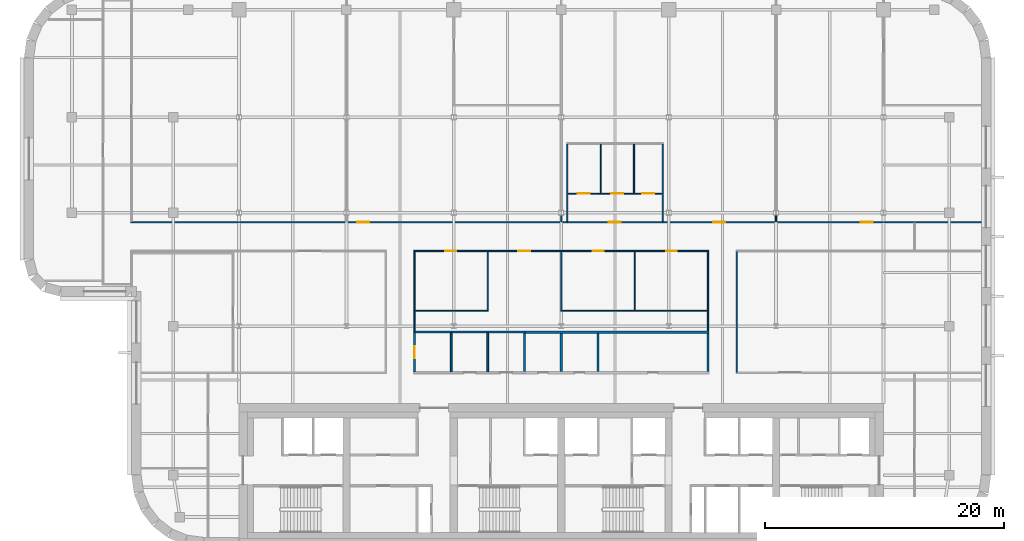
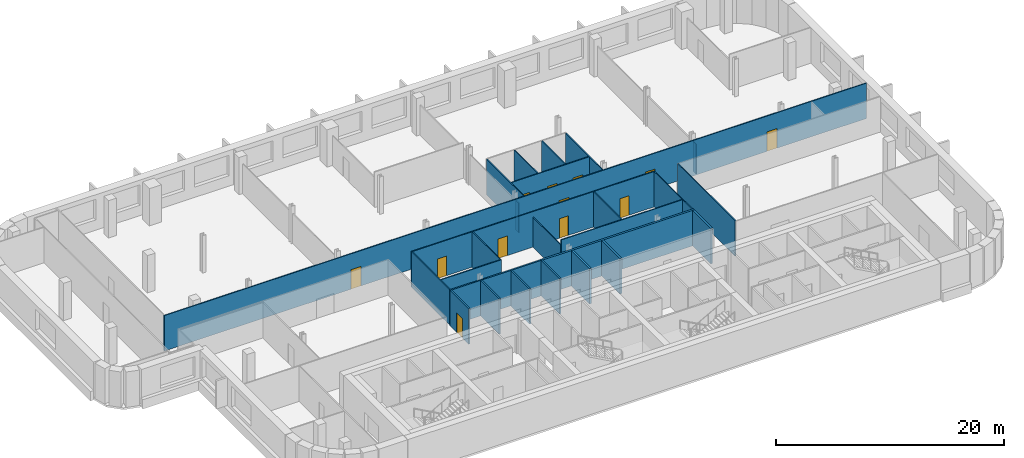
# One storey, part 9 of 16: 26 walls, 12 doors, 12 openings.
"""IFC4 building model written with IfcOpenShell, lengths in metres."""

from ifc_helpers import new_model, si_unit, direction, frame, frame_2d, origin, place, context, subcontext, project, spatial, rectangle, extrude, material, layer, layer_set, type_object, element, fill, save


model = new_model("IFC4")

# Units and contexts
model_context = context("Model", 3, precision=1e-05, world=origin(), true_north=direction((0.0, 1.0)))
body_context = subcontext(model_context, "Body", "Model", "MODEL_VIEW")
ifc_project = project(units=[si_unit("LENGTHUNIT", "METRE"), si_unit("AREAUNIT", "SQUARE_METRE"), si_unit("VOLUMEUNIT", "CUBIC_METRE"), si_unit("PLANEANGLEUNIT", "RADIAN"), si_unit("MASSUNIT", "GRAM", prefix="KILO")], contexts=[model_context])

# Site, building, storey
site_placement = place(None, origin())
site = spatial("IfcSite", under=ifc_project, at=site_placement, CompositionType="ELEMENT")
building_placement = place(site_placement, origin())
building = spatial("IfcBuilding", under=site, at=building_placement, Name="Zellij Exchange Tower", CompositionType="ELEMENT")
storey_placement = place(building_placement, frame((0.0, 0.0, 248.5)))
storey = spatial("IfcBuildingStorey", under=building, at=storey_placement, Name="L58", CompositionType="ELEMENT", Elevation=248.5)

# Walls
ifc_material_1 = material(Name="Blockwork partition", Category="masonry")
ifc_layer_1 = layer(ifc_material_1, 0.199951171875)
ifc_layer_set_1 = layer_set([ifc_layer_1], Name="Blockwork partition")
wall_type_1 = type_object("IfcWallType", Name="FIT-BLOCKWORK-200", PredefinedType="PARTITIONING", material=ifc_layer_set_1)
for number, where, z_axis, x_axis, name in (
    (1, (0.0, 0.699951171875, 0.0), (0.0, 0.0, 1.0), (0.0, 1.0, 0.0), "FIT-BLOCKWORK-200 013"),
    (2, (3.080078125, 0.699951171875, 0.0), (0.0, 0.0, 1.0), (0.0, 1.0, 0.0), "FIT-BLOCKWORK-200 014"),
    (3, (12.300048828125, 0.699951171875, 0.0), (0.0, 0.0, 1.0), (0.0, 1.0, 0.0), "FIT-BLOCKWORK-200 015"),
):
    element("IfcWall", number, at=place(storey_placement, frame(where, z_axis=z_axis, x_axis=x_axis)), inside=storey, type_object=wall_type_1, Name=name, PredefinedType="PARTITIONING", context=body_context, shape_type="SweptSolid", body=[
        extrude(rectangle(XDim=3.199951171875, YDim=0.199951171875, at=frame_2d((1.60009765625, 0.0))), origin(), (0.0, 0.0, 1.0), 3.800048828125),
    ])
wall_1_placement = place(storey_placement, frame((-3.155029296875, 4.0, 0.0), z_axis=(0.0, 0.0, 1.0), x_axis=(1.0, 0.0, 0.0)))
element("IfcWall", 4, at=wall_1_placement, inside=storey, type_object=wall_type_1, Name="FIT-BLOCKWORK-200 020", PredefinedType="PARTITIONING", context=body_context, shape_type="SweptSolid", body=[
    extrude(rectangle(XDim=15.554931640625, YDim=0.199951171875, at=frame_2d((7.77734375, 0.0))), origin(), (0.0, 0.0, 1.0), 3.800048828125),
])
ifc_material_2 = material(Name="Gypsum board partition on steel studs", Category="steel")
ifc_layer_2 = layer(ifc_material_2, 0.10009765625)
ifc_layer_set_2 = layer_set([ifc_layer_2], Name="Gypsum board partition on steel studs")
wall_type_2 = type_object("IfcWallType", Name="FIT-PARTITION-100", PredefinedType="PARTITIONING", material=ifc_layer_set_2)
wall_2_placement = place(storey_placement, frame((14.699951171875, 0.64990234375, 0.0), z_axis=(0.0, 0.0, 1.0), x_axis=(0.0, 1.0, 0.0)))
element("IfcWall", 5, at=wall_2_placement, inside=storey, type_object=wall_type_2, Name="FIT-PARTITION-100 017", PredefinedType="PARTITIONING", context=body_context, shape_type="SweptSolid", body=[
    extrude(rectangle(XDim=10.10009765625, YDim=0.10009765625, at=frame_2d((5.050048828125, 0.0))), origin(), (0.0, 0.0, 1.0), 3.800048828125),
])
wall_3_placement = place(storey_placement, frame((-12.300048828125, 4.074951171875, 0.0), z_axis=(0.0, 0.0, 1.0), x_axis=(0.0, 1.0, 0.0)))
element("IfcWall", 6, at=wall_3_placement, inside=storey, type_object=wall_type_2, Name="FIT-PARTITION-100 019", PredefinedType="PARTITIONING", context=body_context, shape_type="SweptSolid", body=[
    extrude(rectangle(XDim=6.675048828125, YDim=0.10009765625, at=frame_2d((3.33740234375, 0.0))), origin(), (0.0, 0.0, 1.0), 3.800048828125),
])
wall_4_placement = place(storey_placement, frame((12.300048828125, 4.10009765625, 0.0), z_axis=(0.0, 0.0, 1.0), x_axis=(0.0, 1.0, 0.0)))
element("IfcWall", 7, at=wall_4_placement, inside=storey, type_object=wall_type_2, Name="FIT-PARTITION-100 021", PredefinedType="PARTITIONING", context=body_context, shape_type="SweptSolid", body=[
    extrude(rectangle(XDim=6.64990234375, YDim=0.10009765625, at=frame_2d((3.324951171875, 0.0))), origin(), (0.0, 0.0, 1.0), 3.800048828125),
])
wall_5_placement = place(storey_placement, frame((-12.25, 5.800048828125, 0.0), z_axis=(0.0, 0.0, 1.0), x_axis=(1.0, 0.0, 0.0)))
element("IfcWall", 8, at=wall_5_placement, inside=storey, type_object=wall_type_2, Name="FIT-PARTITION-100 022", PredefinedType="PARTITIONING", context=body_context, shape_type="SweptSolid", body=[
    extrude(rectangle(XDim=6.14990234375, YDim=0.10009765625, at=frame_2d((3.074951171875, 0.0))), origin(), (0.0, 0.0, 1.0), 3.800048828125),
])
wall_6_placement = place(storey_placement, frame((-6.14990234375, 5.85009765625, 0.0), z_axis=(0.0, 0.0, 1.0), x_axis=(0.0, 1.0, 0.0)))
element("IfcWall", 9, at=wall_6_placement, inside=storey, type_object=wall_type_2, Name="FIT-PARTITION-100 023", PredefinedType="PARTITIONING", context=body_context, shape_type="SweptSolid", body=[
    extrude(rectangle(XDim=4.89990234375, YDim=0.10009765625, at=frame_2d((2.449951171875, 0.0))), origin(), (0.0, 0.0, 1.0), 3.800048828125),
])
wall_7_placement = place(storey_placement, frame((-0.050048828125, 5.800048828125, 0.0), z_axis=(0.0, 0.0, 1.0), x_axis=(1.0, 0.0, 0.0)))
element("IfcWall", 10, at=wall_7_placement, inside=storey, type_object=wall_type_2, Name="FIT-PARTITION-100 024", PredefinedType="PARTITIONING", context=body_context, shape_type="SweptSolid", body=[
    extrude(rectangle(XDim=12.300048828125, YDim=0.10009765625, at=frame_2d((6.14990234375, 0.0))), origin(), (0.0, 0.0, 1.0), 3.800048828125),
])
wall_8_placement = place(storey_placement, frame((0.0, 5.85009765625, 0.0), z_axis=(0.0, 0.0, 1.0), x_axis=(0.0, 1.0, 0.0)))
element("IfcWall", 11, at=wall_8_placement, inside=storey, type_object=wall_type_2, Name="FIT-PARTITION-100 025", PredefinedType="PARTITIONING", context=body_context, shape_type="SweptSolid", body=[
    extrude(rectangle(XDim=4.89990234375, YDim=0.10009765625, at=frame_2d((2.449951171875, 0.0))), origin(), (0.0, 0.0, 1.0), 3.19287109375),
])
wall_9_placement = place(storey_placement, frame((6.14990234375, 5.85009765625, 0.0), z_axis=(0.0, 0.0, 1.0), x_axis=(0.0, 1.0, 0.0)))
element("IfcWall", 12, at=wall_9_placement, inside=storey, type_object=wall_type_2, Name="FIT-PARTITION-100 026", PredefinedType="PARTITIONING", context=body_context, shape_type="SweptSolid", body=[
    extrude(rectangle(XDim=4.89990234375, YDim=0.10009765625, at=frame_2d((2.449951171875, 0.0))), origin(), (0.0, 0.0, 1.0), 3.800048828125),
])

# Wall, openings, doors
wall_10_placement = place(storey_placement, frame((-12.35009765625, 10.800048828125, 0.0), z_axis=(0.0, 0.0, 1.0), x_axis=(1.0, 0.0, 0.0)))
wall_10 = element("IfcWall", 13, at=wall_10_placement, inside=storey, type_object=wall_type_2, Name="FIT-PARTITION-100 033", PredefinedType="PARTITIONING", context=body_context, shape_type="SweptSolid", body=[
    extrude(rectangle(XDim=24.7001953125, YDim=0.10009765625, at=frame_2d((12.35009765625, 0.0))), origin(), (0.0, 0.0, 1.0), 3.800048828125),
])
opening_1_placement = place(wall_10_placement, frame((2.64990234375, 0.0, 0.0)))
opening_1 = element("IfcOpeningElement", 14, at=opening_1_placement, cuts=wall_10, Name="Opening O4D.12", PredefinedType="OPENING", context=body_context, shape_type="SweptSolid", body=[
    extrude(rectangle(XDim=0.89990234375, YDim=2.10009765625, at=frame_2d((0.449951171875, 1.050048828125))), frame((0.0, 0.06201171875, 0.0), z_axis=(0.0, -1.0, 0.0), x_axis=(1.0, 0.0, 0.0)), (0.0, 0.0, 1.0), 0.1240234375),
])
opening_2_placement = place(wall_10_placement, frame((8.75, 0.0, 0.0)))
opening_2 = element("IfcOpeningElement", 15, at=opening_2_placement, cuts=wall_10, Name="Opening O4D.13", PredefinedType="OPENING", context=body_context, shape_type="SweptSolid", body=[
    extrude(rectangle(XDim=1.0, YDim=2.10009765625, at=frame_2d((0.5, 1.050048828125))), frame((0.0, 0.06201171875, 0.0), z_axis=(0.0, -1.0, 0.0), x_axis=(1.0, 0.0, 0.0)), (0.0, 0.0, 1.0), 0.1240234375),
])
opening_3_placement = place(wall_10_placement, frame((15.0, 0.0, 0.0)))
opening_3 = element("IfcOpeningElement", 16, at=opening_3_placement, cuts=wall_10, Name="Opening O4D.14", PredefinedType="OPENING", context=body_context, shape_type="SweptSolid", body=[
    extrude(rectangle(XDim=0.89990234375, YDim=2.10009765625, at=frame_2d((0.449951171875, 1.050048828125))), frame((0.0, 0.06201171875, 0.0), z_axis=(0.0, -1.0, 0.0), x_axis=(1.0, 0.0, 0.0)), (0.0, 0.0, 1.0), 0.1240234375),
])
opening_4_placement = place(wall_10_placement, frame((21.14990234375, 0.0, 0.0)))
opening_4 = element("IfcOpeningElement", 17, at=opening_4_placement, cuts=wall_10, Name="Opening O4D.15", PredefinedType="OPENING", context=body_context, shape_type="SweptSolid", body=[
    extrude(rectangle(XDim=0.89990234375, YDim=2.10009765625, at=frame_2d((0.449951171875, 1.050048828125))), frame((0.0, 0.06201171875, 0.0), z_axis=(0.0, -1.0, 0.0), x_axis=(1.0, 0.0, 0.0)), (0.0, 0.0, 1.0), 0.1240234375),
])
ifc_material_3 = material(Name="Timber door set", Category="wood")
door_type_1 = type_object("IfcDoorType", Name="FIT-D1-ROOM-900X2100", OperationType="SINGLE_SWING_LEFT", PredefinedType="DOOR", material=ifc_material_3)
door_1_placement = place(opening_1_placement, origin())
door_1 = element("IfcDoor", 18, at=door_1_placement, inside=storey, type_object=door_type_1, Name="Door O4D.12", OperationType="SINGLE_SWING_LEFT", OverallHeight=2.10009765625, OverallWidth=0.89990234375, PredefinedType="DOOR", context=body_context, shape_type="SweptSolid", body=[
    extrude(rectangle(XDim=0.89990234375, YDim=2.10009765625, at=frame_2d((0.449951171875, 1.050048828125))), frame((0.0, 0.02490234375, 0.0), z_axis=(0.0, -1.0, 0.0), x_axis=(1.0, 0.0, 0.0)), (0.0, 0.0, 1.0), 0.050048828125),
])
fill(opening_1, door_1)
door_2_placement = place(opening_3_placement, origin())
door_2 = element("IfcDoor", 19, at=door_2_placement, inside=storey, type_object=door_type_1, Name="Door O4D.14", OperationType="SINGLE_SWING_RIGHT", OverallHeight=2.10009765625, OverallWidth=0.89990234375, PredefinedType="DOOR", context=body_context, shape_type="SweptSolid", body=[
    extrude(rectangle(XDim=0.89990234375, YDim=2.10009765625, at=frame_2d((0.449951171875, 1.050048828125))), frame((0.0, 0.02490234375, 0.0), z_axis=(0.0, -1.0, 0.0), x_axis=(1.0, 0.0, 0.0)), (0.0, 0.0, 1.0), 0.050048828125),
])
fill(opening_3, door_2)
door_3_placement = place(opening_4_placement, origin())
door_3 = element("IfcDoor", 20, at=door_3_placement, inside=storey, type_object=door_type_1, Name="Door O4D.15", OperationType="SINGLE_SWING_RIGHT", OverallHeight=2.10009765625, OverallWidth=0.89990234375, PredefinedType="DOOR", context=body_context, shape_type="SweptSolid", body=[
    extrude(rectangle(XDim=0.89990234375, YDim=2.10009765625, at=frame_2d((0.449951171875, 1.050048828125))), frame((0.0, 0.02490234375, 0.0), z_axis=(0.0, -1.0, 0.0), x_axis=(1.0, 0.0, 0.0)), (0.0, 0.0, 1.0), 0.050048828125),
])
fill(opening_4, door_3)
door_type_2 = type_object("IfcDoorType", Name="FIT-D2-WIDE-1000X2100", OperationType="SINGLE_SWING_LEFT", PredefinedType="DOOR", material=ifc_material_3)
door_4_placement = place(opening_2_placement, origin())
door_4 = element("IfcDoor", 21, at=door_4_placement, inside=storey, type_object=door_type_2, Name="Door O4D.13", OperationType="SINGLE_SWING_LEFT", OverallHeight=2.10009765625, OverallWidth=1.0, PredefinedType="DOOR", context=body_context, shape_type="SweptSolid", body=[
    extrude(rectangle(XDim=1.0, YDim=2.10009765625, at=frame_2d((0.5, 1.050048828125))), frame((0.0, 0.02490234375, 0.0), z_axis=(0.0, -1.0, 0.0), x_axis=(1.0, 0.0, 0.0)), (0.0, 0.0, 1.0), 0.050048828125),
])
fill(opening_2, door_4)

wall_11_placement = place(storey_placement, frame((-36.050048828125, 13.199951171875, 0.0), z_axis=(0.0, 0.0, 1.0), x_axis=(1.0, 0.0, 0.0)))
wall_11 = element("IfcWall", 22, at=wall_11_placement, inside=storey, type_object=wall_type_2, Name="FIT-PARTITION-100 036", PredefinedType="PARTITIONING", context=body_context, shape_type="SweptSolid", body=[
    extrude(rectangle(XDim=71.25, YDim=0.10009765625, at=frame_2d((35.625, 0.0))), origin(), (0.0, 0.0, 1.0), 3.800048828125),
])
opening_5_placement = place(wall_11_placement, frame((18.949951171875, 0.0, 0.0)))
opening_5 = element("IfcOpeningElement", 23, at=opening_5_placement, cuts=wall_11, Name="Opening O4D.16", PredefinedType="OPENING", context=body_context, shape_type="SweptSolid", body=[
    extrude(rectangle(XDim=1.0, YDim=2.10009765625, at=frame_2d((0.5, 1.050048828125))), frame((0.0, 0.06201171875, 0.0), z_axis=(0.0, -1.0, 0.0), x_axis=(1.0, 0.0, 0.0)), (0.0, 0.0, 1.0), 0.1240234375),
])
opening_6_placement = place(wall_11_placement, frame((40.050048828125, 0.0, 0.0)))
opening_6 = element("IfcOpeningElement", 24, at=opening_6_placement, cuts=wall_11, Name="Opening O4D.17", PredefinedType="OPENING", context=body_context, shape_type="SweptSolid", body=[
    extrude(rectangle(XDim=1.0, YDim=2.10009765625, at=frame_2d((0.5, 1.050048828125))), frame((0.0, 0.06201171875, 0.0), z_axis=(0.0, -1.0, 0.0), x_axis=(1.0, 0.0, 0.0)), (0.0, 0.0, 1.0), 0.1240234375),
])
opening_7_placement = place(wall_11_placement, frame((48.800048828125, 0.0, 0.0)))
opening_7 = element("IfcOpeningElement", 25, at=opening_7_placement, cuts=wall_11, Name="Opening O4D.18", PredefinedType="OPENING", context=body_context, shape_type="SweptSolid", body=[
    extrude(rectangle(XDim=1.0, YDim=2.10009765625, at=frame_2d((0.5, 1.050048828125))), frame((0.0, 0.06201171875, 0.0), z_axis=(0.0, -1.0, 0.0), x_axis=(1.0, 0.0, 0.0)), (0.0, 0.0, 1.0), 0.1240234375),
])
opening_8_placement = place(wall_11_placement, frame((61.14990234375, 0.0, 0.0)))
opening_8 = element("IfcOpeningElement", 26, at=opening_8_placement, cuts=wall_11, Name="Opening O4D.19", PredefinedType="OPENING", context=body_context, shape_type="SweptSolid", body=[
    extrude(rectangle(XDim=1.0, YDim=2.10009765625, at=frame_2d((0.5, 1.050048828125))), frame((0.0, 0.06201171875, 0.0), z_axis=(0.0, -1.0, 0.0), x_axis=(1.0, 0.0, 0.0)), (0.0, 0.0, 1.0), 0.1240234375),
])
door_5_placement = place(opening_5_placement, origin())
door_5 = element("IfcDoor", 27, at=door_5_placement, inside=storey, type_object=door_type_2, Name="Door O4D.16", OperationType="SINGLE_SWING_RIGHT", OverallHeight=2.10009765625, OverallWidth=1.0, PredefinedType="DOOR", context=body_context, shape_type="SweptSolid", body=[
    extrude(rectangle(XDim=1.0, YDim=2.10009765625, at=frame_2d((0.5, 1.050048828125))), frame((0.0, 0.02490234375, 0.0), z_axis=(0.0, -1.0, 0.0), x_axis=(1.0, 0.0, 0.0)), (0.0, 0.0, 1.0), 0.050048828125),
])
fill(opening_5, door_5)
door_6_placement = place(opening_6_placement, origin())
door_6 = element("IfcDoor", 28, at=door_6_placement, inside=storey, type_object=door_type_2, Name="Door O4D.17", OperationType="SINGLE_SWING_RIGHT", OverallHeight=2.10009765625, OverallWidth=1.0, PredefinedType="DOOR", context=body_context, shape_type="SweptSolid", body=[
    extrude(rectangle(XDim=1.0, YDim=2.10009765625, at=frame_2d((0.5, 1.050048828125))), frame((0.0, 0.02490234375, 0.0), z_axis=(0.0, -1.0, 0.0), x_axis=(1.0, 0.0, 0.0)), (0.0, 0.0, 1.0), 0.050048828125),
])
fill(opening_6, door_6)
door_7_placement = place(opening_7_placement, origin())
door_7 = element("IfcDoor", 29, at=door_7_placement, inside=storey, type_object=door_type_2, Name="Door O4D.18", OperationType="SINGLE_SWING_RIGHT", OverallHeight=2.10009765625, OverallWidth=1.0, PredefinedType="DOOR", context=body_context, shape_type="SweptSolid", body=[
    extrude(rectangle(XDim=1.0, YDim=2.10009765625, at=frame_2d((0.5, 1.050048828125))), frame((0.0, 0.02490234375, 0.0), z_axis=(0.0, -1.0, 0.0), x_axis=(1.0, 0.0, 0.0)), (0.0, 0.0, 1.0), 0.050048828125),
])
fill(opening_7, door_7)
door_8_placement = place(opening_8_placement, origin())
door_8 = element("IfcDoor", 30, at=door_8_placement, inside=storey, type_object=door_type_2, Name="Door O4D.19", OperationType="SINGLE_SWING_LEFT", OverallHeight=2.10009765625, OverallWidth=1.0, PredefinedType="DOOR", context=body_context, shape_type="SweptSolid", body=[
    extrude(rectangle(XDim=1.0, YDim=2.10009765625, at=frame_2d((0.5, 1.050048828125))), frame((0.0, 0.02490234375, 0.0), z_axis=(0.0, -1.0, 0.0), x_axis=(1.0, 0.0, 0.0)), (0.0, 0.0, 1.0), 0.050048828125),
])
fill(opening_8, door_8)

# Walls
wall_12_placement = place(storey_placement, frame((0.0, 13.25, 0.0), z_axis=(0.0, 0.0, 1.0), x_axis=(0.0, 1.0, 0.0)))
element("IfcWall", 31, at=wall_12_placement, inside=storey, type_object=wall_type_2, Name="FIT-PARTITION-100 042", PredefinedType="PARTITIONING", context=body_context, shape_type="SweptSolid", body=[
    extrude(rectangle(XDim=0.556884765625, YDim=0.10009765625, at=frame_2d((0.2783203125, 0.0))), origin(), (0.0, 0.0, 1.0), 3.19287109375),
])
for number, where, z_axis, x_axis, name in (
    (32, (0.5, 13.25, 0.0), (0.0, 0.0, 1.0), (0.0, 1.0, 0.0), "FIT-PARTITION-100 046"),
    (33, (8.5, 13.25, 0.0), (0.0, 0.0, 1.0), (0.0, 1.0, 0.0), "FIT-PARTITION-100 047"),
):
    element("IfcWall", number, at=place(storey_placement, frame(where, z_axis=z_axis, x_axis=x_axis)), inside=storey, type_object=wall_type_2, Name=name, PredefinedType="PARTITIONING", context=body_context, shape_type="SweptSolid", body=[
        extrude(rectangle(XDim=6.5, YDim=0.10009765625, at=frame_2d((3.25, 0.0))), origin(), (0.0, 0.0, 1.0), 3.800048828125),
    ])
wall_13_placement = place(storey_placement, frame((18.0, 13.25, 0.0), z_axis=(0.0, 0.0, 1.0), x_axis=(0.0, 1.0, 0.0)))
element("IfcWall", 34, at=wall_13_placement, inside=storey, type_object=wall_type_2, Name="FIT-PARTITION-100 048", PredefinedType="PARTITIONING", context=body_context, shape_type="SweptSolid", body=[
    extrude(rectangle(XDim=0.556884765625, YDim=0.10009765625, at=frame_2d((0.2783203125, 0.0))), origin(), (0.0, 0.0, 1.0), 3.19287109375),
])

# Wall, openings, doors
wall_14_placement = place(storey_placement, frame((0.550048828125, 15.60009765625, 0.0), z_axis=(0.0, 0.0, 1.0), x_axis=(1.0, 0.0, 0.0)))
wall_14 = element("IfcWall", 35, at=wall_14_placement, inside=storey, type_object=wall_type_2, Name="FIT-PARTITION-100 052", PredefinedType="PARTITIONING", context=body_context, shape_type="SweptSolid", body=[
    extrude(rectangle(XDim=7.89990234375, YDim=0.10009765625, at=frame_2d((3.949951171875, 0.0))), origin(), (0.0, 0.0, 1.0), 3.800048828125),
])
opening_9_placement = place(wall_14_placement, frame((0.85009765625, 0.0, 0.0)))
opening_9 = element("IfcOpeningElement", 36, at=opening_9_placement, cuts=wall_14, Name="Opening O4D.20", PredefinedType="OPENING", context=body_context, shape_type="SweptSolid", body=[
    extrude(rectangle(XDim=1.0, YDim=2.10009765625, at=frame_2d((0.5, 1.050048828125))), frame((0.0, 0.06201171875, 0.0), z_axis=(0.0, -1.0, 0.0), x_axis=(1.0, 0.0, 0.0)), (0.0, 0.0, 1.0), 0.1240234375),
])
opening_10_placement = place(wall_14_placement, frame((3.64990234375, 0.0, 0.0)))
opening_10 = element("IfcOpeningElement", 37, at=opening_10_placement, cuts=wall_14, Name="Opening O4D.21", PredefinedType="OPENING", context=body_context, shape_type="SweptSolid", body=[
    extrude(rectangle(XDim=1.0, YDim=2.10009765625, at=frame_2d((0.5, 1.050048828125))), frame((0.0, 0.06201171875, 0.0), z_axis=(0.0, -1.0, 0.0), x_axis=(1.0, 0.0, 0.0)), (0.0, 0.0, 1.0), 0.1240234375),
])
opening_11_placement = place(wall_14_placement, frame((6.25, 0.0, 0.0)))
opening_11 = element("IfcOpeningElement", 38, at=opening_11_placement, cuts=wall_14, Name="Opening O4D.22", PredefinedType="OPENING", context=body_context, shape_type="SweptSolid", body=[
    extrude(rectangle(XDim=1.0, YDim=2.10009765625, at=frame_2d((0.5, 1.050048828125))), frame((0.0, 0.06201171875, 0.0), z_axis=(0.0, -1.0, 0.0), x_axis=(1.0, 0.0, 0.0)), (0.0, 0.0, 1.0), 0.1240234375),
])
door_9_placement = place(opening_9_placement, origin())
door_9 = element("IfcDoor", 39, at=door_9_placement, inside=storey, type_object=door_type_2, Name="Door O4D.20", OperationType="SINGLE_SWING_RIGHT", OverallHeight=2.10009765625, OverallWidth=1.0, PredefinedType="DOOR", context=body_context, shape_type="SweptSolid", body=[
    extrude(rectangle(XDim=1.0, YDim=2.10009765625, at=frame_2d((0.5, 1.050048828125))), frame((0.0, 0.02490234375, 0.0), z_axis=(0.0, -1.0, 0.0), x_axis=(1.0, 0.0, 0.0)), (0.0, 0.0, 1.0), 0.050048828125),
])
fill(opening_9, door_9)
door_10_placement = place(opening_10_placement, origin())
door_10 = element("IfcDoor", 40, at=door_10_placement, inside=storey, type_object=door_type_2, Name="Door O4D.21", OperationType="SINGLE_SWING_LEFT", OverallHeight=2.10009765625, OverallWidth=1.0, PredefinedType="DOOR", context=body_context, shape_type="SweptSolid", body=[
    extrude(rectangle(XDim=1.0, YDim=2.10009765625, at=frame_2d((0.5, 1.050048828125))), frame((0.0, 0.02490234375, 0.0), z_axis=(0.0, -1.0, 0.0), x_axis=(1.0, 0.0, 0.0)), (0.0, 0.0, 1.0), 0.050048828125),
])
fill(opening_10, door_10)
door_11_placement = place(opening_11_placement, origin())
door_11 = element("IfcDoor", 41, at=door_11_placement, inside=storey, type_object=door_type_2, Name="Door O4D.22", OperationType="SINGLE_SWING_RIGHT", OverallHeight=2.10009765625, OverallWidth=1.0, PredefinedType="DOOR", context=body_context, shape_type="SweptSolid", body=[
    extrude(rectangle(XDim=1.0, YDim=2.10009765625, at=frame_2d((0.5, 1.050048828125))), frame((0.0, 0.02490234375, 0.0), z_axis=(0.0, -1.0, 0.0), x_axis=(1.0, 0.0, 0.0)), (0.0, 0.0, 1.0), 0.050048828125),
])
fill(opening_11, door_11)

# Walls
for number, where, z_axis, x_axis, name in (
    (42, (3.300048828125, 15.64990234375, 0.0), (0.0, 0.0, 1.0), (0.0, 1.0, 0.0), "FIT-PARTITION-100 053"),
    (43, (6.10009765625, 15.64990234375, 0.0), (0.0, 0.0, 1.0), (0.0, 1.0, 0.0), "FIT-PARTITION-100 054"),
):
    element("IfcWall", number, at=place(storey_placement, frame(where, z_axis=z_axis, x_axis=x_axis)), inside=storey, type_object=wall_type_2, Name=name, PredefinedType="PARTITIONING", context=body_context, shape_type="SweptSolid", body=[
        extrude(rectangle(XDim=4.10009765625, YDim=0.10009765625, at=frame_2d((2.050048828125, 0.0))), origin(), (0.0, 0.0, 1.0), 3.800048828125),
    ])

# Wall, opening, door
ifc_material_4 = material(Name="Gypsum board shaft-wall partition", Category="gypsum")
ifc_layer_3 = layer(ifc_material_4, 0.14990234375)
ifc_layer_set_3 = layer_set([ifc_layer_3], Name="Gypsum board shaft-wall partition")
wall_type_3 = type_object("IfcWallType", Name="FIT-PARTITION-150-EI60", PredefinedType="PARTITIONING", material=ifc_layer_set_3)
wall_15_placement = place(storey_placement, frame((-12.300048828125, 0.675048828125, 0.0), z_axis=(0.0, 0.0, 1.0), x_axis=(0.0, 1.0, 0.0)))
wall_15 = element("IfcWall", 44, at=wall_15_placement, inside=storey, type_object=wall_type_3, Name="FIT-PARTITION-150-EI60 008", PredefinedType="PARTITIONING", context=body_context, shape_type="SweptSolid", body=[
    extrude(rectangle(XDim=3.25, YDim=0.14990234375, at=frame_2d((1.625, 0.0))), origin(), (0.0, 0.0, 1.0), 3.800048828125),
])
opening_12_placement = place(wall_15_placement, frame((1.125, 0.0, 0.0)))
opening_12 = element("IfcOpeningElement", 45, at=opening_12_placement, cuts=wall_15, Name="Opening O4D.09", PredefinedType="OPENING", context=body_context, shape_type="SweptSolid", body=[
    extrude(rectangle(XDim=1.0, YDim=2.10009765625, at=frame_2d((0.5, 1.050048828125))), frame((0.0, 0.0869140625, 0.0), z_axis=(0.0, -1.0, 0.0), x_axis=(1.0, 0.0, 0.0)), (0.0, 0.0, 1.0), 0.173828125),
])
ifc_material_5 = material(Name="Steel fire door set", Category="steel")
door_type_3 = type_object("IfcDoorType", Name="FIT-D4-FIRE-1000X2100", OperationType="SINGLE_SWING_LEFT", PredefinedType="DOOR", material=ifc_material_5)
door_12_placement = place(opening_12_placement, origin())
door_12 = element("IfcDoor", 46, at=door_12_placement, inside=storey, type_object=door_type_3, Name="Door O4D.09", OperationType="SINGLE_SWING_RIGHT", OverallHeight=2.10009765625, OverallWidth=1.0, PredefinedType="DOOR", context=body_context, shape_type="SweptSolid", body=[
    extrude(rectangle(XDim=1.0, YDim=2.10009765625, at=frame_2d((0.5, 1.050048828125))), frame((0.0, 0.02490234375, 0.0), z_axis=(0.0, -1.0, 0.0), x_axis=(1.0, 0.0, 0.0)), (0.0, 0.0, 1.0), 0.050048828125),
])
fill(opening_12, door_12)

# Walls
for number, where, z_axis, x_axis, name in (
    (47, (-9.219970703125, 0.675048828125, 0.0), (0.0, 0.0, 1.0), (0.0, 1.0, 0.0), "FIT-PARTITION-150-EI60 009"),
    (48, (-6.14990234375, 0.675048828125, 0.0), (0.0, 0.0, 1.0), (0.0, 1.0, 0.0), "FIT-PARTITION-150-EI60 010"),
):
    element("IfcWall", number, at=place(storey_placement, frame(where, z_axis=z_axis, x_axis=x_axis)), inside=storey, type_object=wall_type_3, Name=name, PredefinedType="PARTITIONING", context=body_context, shape_type="SweptSolid", body=[
        extrude(rectangle(XDim=3.25, YDim=0.14990234375, at=frame_2d((1.625, 0.0))), origin(), (0.0, 0.0, 1.0), 3.800048828125),
    ])
wall_16_placement = place(storey_placement, frame((-3.080078125, 0.699951171875, 0.0), z_axis=(0.0, 0.0, 1.0), x_axis=(0.0, 1.0, 0.0)))
element("IfcWall", 49, at=wall_16_placement, inside=storey, type_object=wall_type_3, Name="FIT-PARTITION-150-EI60 012", PredefinedType="PARTITIONING", context=body_context, shape_type="SweptSolid", body=[
    extrude(rectangle(XDim=3.199951171875, YDim=0.14990234375, at=frame_2d((1.60009765625, 0.0))), origin(), (0.0, 0.0, 1.0), 3.800048828125),
])
wall_17_placement = place(storey_placement, frame((-12.375, 4.0, 0.0), z_axis=(0.0, 0.0, 1.0), x_axis=(1.0, 0.0, 0.0)))
element("IfcWall", 50, at=wall_17_placement, inside=storey, type_object=wall_type_3, Name="FIT-PARTITION-150-EI60 018", PredefinedType="PARTITIONING", context=body_context, shape_type="SweptSolid", body=[
    extrude(rectangle(XDim=9.3701171875, YDim=0.14990234375, at=frame_2d((4.68505859375, 0.0))), origin(), (0.0, 0.0, 1.0), 3.800048828125),
])

save(model, "model.ifc")
